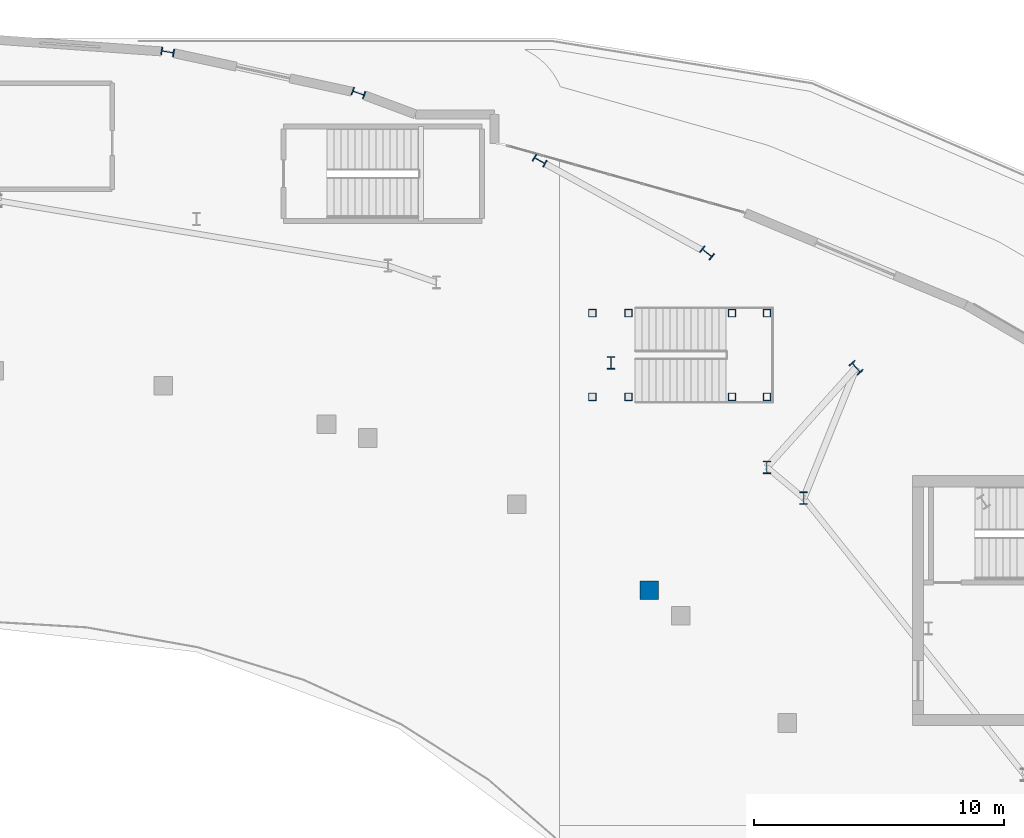
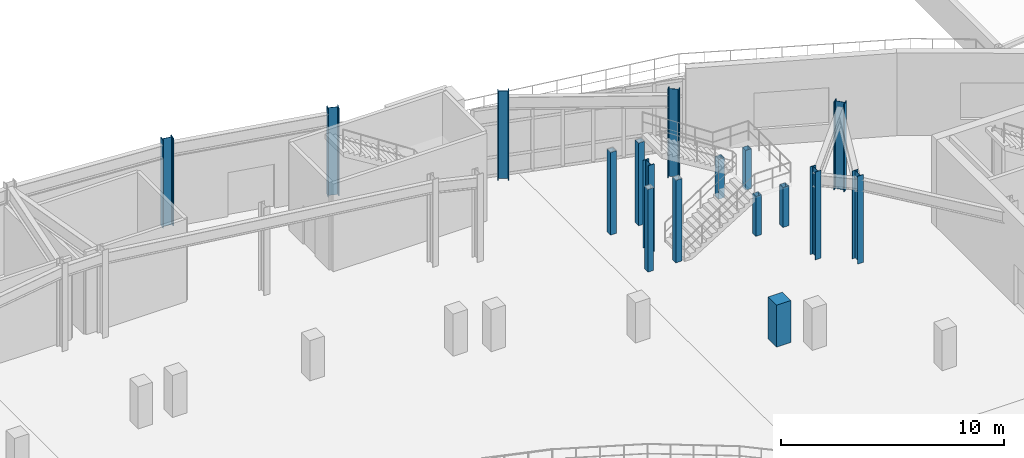
# One storey, part 14 of 84: 17 columns.
"""IFC4 building model written with IfcOpenShell, lengths in metres."""

from ifc_helpers import new_model, si_unit, direction, frame, origin, origin_2d, place, context, subcontext, project, spatial, rectangle, hollow_rectangle, i_section, extrude, material, material_profile, profile_set, type_object, element, save


model = new_model("IFC4")

# Units and contexts
model_context = context("Model", 3, precision=1e-05, world=origin(), true_north=direction((0.0, 1.0)))
body_context = subcontext(model_context, "Body", "Model", "MODEL_VIEW")
ifc_project = project(units=[si_unit("LENGTHUNIT", "METRE"), si_unit("AREAUNIT", "SQUARE_METRE"), si_unit("VOLUMEUNIT", "CUBIC_METRE"), si_unit("PLANEANGLEUNIT", "RADIAN"), si_unit("MASSUNIT", "GRAM", prefix="KILO")], contexts=[model_context])

# Site, building, storey
site_placement = place(None, origin())
site = spatial("IfcSite", under=ifc_project, at=site_placement, CompositionType="ELEMENT")
building_placement = place(site_placement, origin())
building = spatial("IfcBuilding", under=site, at=building_placement, Name="Glasvene Arena", CompositionType="ELEMENT")
storey_placement = place(building_placement, frame((0.0, 0.0, 10.199951171875)))
storey = spatial("IfcBuildingStorey", under=building, at=storey_placement, Name="L02", CompositionType="ELEMENT", Elevation=10.199951171875)

# Columns
ifc_material_1 = material(Name="Concrete C40/50", Category="concrete")
ifc_material_profile_1 = material_profile(ifc_material_1, rectangle(XDim=0.75, YDim=0.75, at=origin_2d()), Name="RC 750x750")
ifc_profile_set_1 = profile_set([ifc_material_profile_1], Name="Concrete C40/50")
column_type_1 = type_object("IfcColumnType", Name="COL-MID-RC750", PredefinedType="COLUMN", material=ifc_profile_set_1)
column_placement = place(storey_placement, frame((119.08251953125, 95.918212890625, 0.0), z_axis=(0.0, 0.0, 1.0), x_axis=(1.0, 0.0, 0.0)))
element("IfcColumn", 1, at=column_placement, inside=storey, type_object=column_type_1, Name="Mid-bowl fulcrum column L02 03-1", PredefinedType="COLUMN", context=body_context, shape_type="SweptSolid", body=[
    extrude(rectangle(XDim=0.75, YDim=0.75, at=origin_2d()), origin(), (0.0, 0.0, 1.0), 2.300048828125),
])
ifc_material_2 = material(Name="Steel S355J2", Category="steel")
ifc_material_profile_2 = material_profile(ifc_material_2, i_section(OverallWidth=0.305908203125, OverallDepth=0.52392578125, WebThickness=0.02099609375, FlangeThickness=0.0400390625, FilletRadius=0.027099609375, at=origin_2d()), Name="HEM 500")
ifc_profile_set_2 = profile_set([ifc_material_profile_2], Name="Steel S355J2")
column_type_2 = type_object("IfcColumnType", Name="COL-RING-HEM500", PredefinedType="COLUMN", material=ifc_profile_set_2)
for number, where, z_axis, x_axis, name in (
    (2, (127.355224609375, 104.81982421875, 0.0), (0.0, 0.0, 1.0), (0.74326159948, 0.669000892928, 0.0), "Bowl ring column R06 L02"),
    (3, (121.389404296875, 109.40576171875, 0.0), (0.0, 0.0, 1.0), (0.628098877137, 0.778133536444, 0.0), "Bowl ring column R07 L02"),
    (4, (114.699462890625, 113.09521484375, 0.0), (0.0, 0.0, 1.0), (0.492727341548, 0.87018375467, 0.0), "Bowl ring column R08 L02"),
    (5, (107.45068359375, 115.797607421875, 0.0), (0.0, 0.0, 1.0), (0.339558864524, 0.94058480613, 0.0), "Bowl ring column R09 L02"),
    (6, (99.82177734375, 117.446044921875, 0.0), (0.0, 0.0, 1.0), (0.173304404339, 0.984868307662, 0.0), "Bowl ring column R10 L02"),
):
    element("IfcColumn", number, at=place(storey_placement, frame(where, z_axis=z_axis, x_axis=x_axis)), inside=storey, type_object=column_type_2, Name=name, PredefinedType="COLUMN", context=body_context, shape_type="SweptSolid", body=[
        extrude(i_section(OverallWidth=0.305908203125, OverallDepth=0.52392578125, WebThickness=0.02099609375, FlangeThickness=0.0400390625, FilletRadius=0.027099609375, at=origin_2d()), origin(), (0.0, 0.0, 1.0), 4.800048828125),
    ])
ifc_material_profile_3 = material_profile(ifc_material_2, i_section(OverallWidth=0.300048828125, OverallDepth=0.5, WebThickness=0.014404296875, FlangeThickness=0.028076171875, FilletRadius=0.027099609375, at=origin_2d()), Name="HEB 500")
ifc_profile_set_3 = profile_set([ifc_material_profile_3], Name="Steel S355J2")
column_type_3 = type_object("IfcColumnType", Name="COL-W-HEB500", PredefinedType="COLUMN", material=ifc_profile_set_3)
for number, where, z_axis, x_axis, name in (
    (7, (125.256591796875, 99.59912109375, 0.0), (0.0, 0.0, 1.0), (1.0, 0.0, 0.0), "Upper raker rear column L02 02-2"),
    (8, (123.780517578125, 100.834228515625, 0.0), (0.0, 0.0, 1.0), (1.0, 0.0, 0.0), "Upper raker rear column L02 03-1"),
    (9, (117.55615234375, 105.01171875, 0.0), (0.0, 0.0, 1.0), (1.0, 0.0, 0.0), "Mid-sector rear raker column L02 03"),
):
    element("IfcColumn", number, at=place(storey_placement, frame(where, z_axis=z_axis, x_axis=x_axis)), inside=storey, type_object=column_type_3, Name=name, PredefinedType="COLUMN", context=body_context, shape_type="SweptSolid", body=[
        extrude(i_section(OverallWidth=0.300048828125, OverallDepth=0.5, WebThickness=0.014404296875, FlangeThickness=0.028076171875, FilletRadius=0.027099609375, at=origin_2d()), origin(), (0.0, 0.0, 1.0), 4.800048828125),
    ])
ifc_material_profile_4 = material_profile(ifc_material_2, hollow_rectangle(XDim=0.300048828125, YDim=0.300048828125, WallThickness=0.012451171875, at=origin_2d()), Name="SHS 300x300x12.5")
ifc_profile_set_4 = profile_set([ifc_material_profile_4], Name="Steel S355J2")
column_type_4 = type_object("IfcColumnType", Name="COL-W-SHS300", PredefinedType="COLUMN", material=ifc_profile_set_4)
for number, where, z_axis, x_axis, name in (
    (10, (116.800048828125, 103.64990234375, 0.0), (0.0, 0.0, 1.0), (1.0, 0.0, 0.0), "Vomitory arrival support column VOM-08 L02"),
    (11, (116.800048828125, 107.0, 0.0), (0.0, 0.0, 1.0), (1.0, 0.0, 0.0), "Vomitory arrival support column VOM-08 L02"),
    (12, (118.25, 103.64990234375, 0.0), (0.0, 0.0, 1.0), (1.0, 0.0, 0.0), "Vomitory arrival support column VOM-08 L02"),
    (13, (118.25, 107.0, 0.0), (0.0, 0.0, 1.0), (1.0, 0.0, 0.0), "Vomitory arrival support column VOM-08 L02"),
):
    element("IfcColumn", number, at=place(storey_placement, frame(where, z_axis=z_axis, x_axis=x_axis)), inside=storey, type_object=column_type_4, Name=name, PredefinedType="COLUMN", context=body_context, shape_type="SweptSolid", body=[
        extrude(hollow_rectangle(XDim=0.300048828125, YDim=0.300048828125, WallThickness=0.012451171875, at=origin_2d()), origin(), (0.0, 0.0, 1.0), 4.52001953125),
    ])
for number, where, z_axis, x_axis, name in (
    (14, (122.389892578125, 103.64990234375, 0.0), (0.0, 0.0, 1.0), (1.0, 0.0, 0.0), "Vomitory landing column VOM-08 L02"),
    (15, (122.389892578125, 107.0, 0.0), (0.0, 0.0, 1.0), (1.0, 0.0, 0.0), "Vomitory landing column VOM-08 L02"),
    (16, (123.7900390625, 103.64990234375, 0.0), (0.0, 0.0, 1.0), (1.0, 0.0, 0.0), "Vomitory landing column VOM-08 L02"),
    (17, (123.7900390625, 107.0, 0.0), (0.0, 0.0, 1.0), (1.0, 0.0, 0.0), "Vomitory landing column VOM-08 L02"),
):
    element("IfcColumn", number, at=place(storey_placement, frame(where, z_axis=z_axis, x_axis=x_axis)), inside=storey, type_object=column_type_4, Name=name, PredefinedType="COLUMN", context=body_context, shape_type="SweptSolid", body=[
        extrude(hollow_rectangle(XDim=0.300048828125, YDim=0.300048828125, WallThickness=0.012451171875, at=origin_2d()), origin(), (0.0, 0.0, 1.0), 2.179931640625),
    ])

save(model, "model.ifc")
